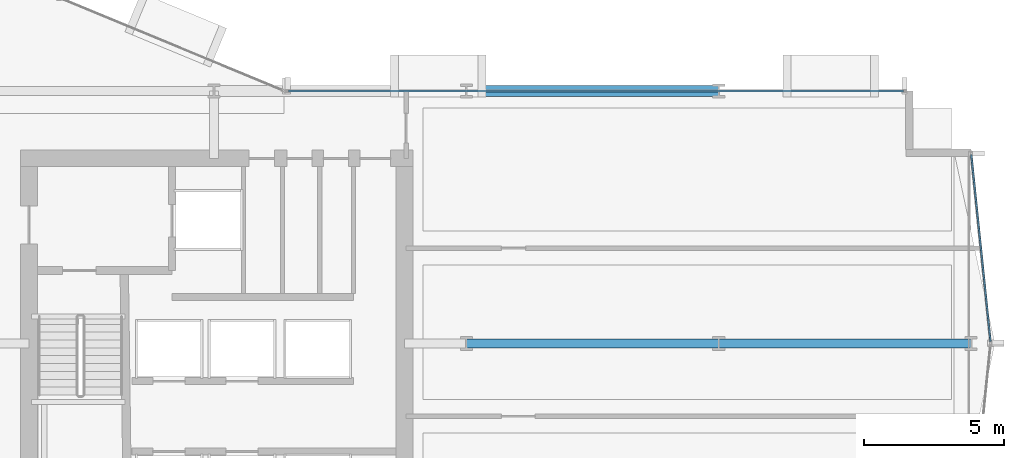
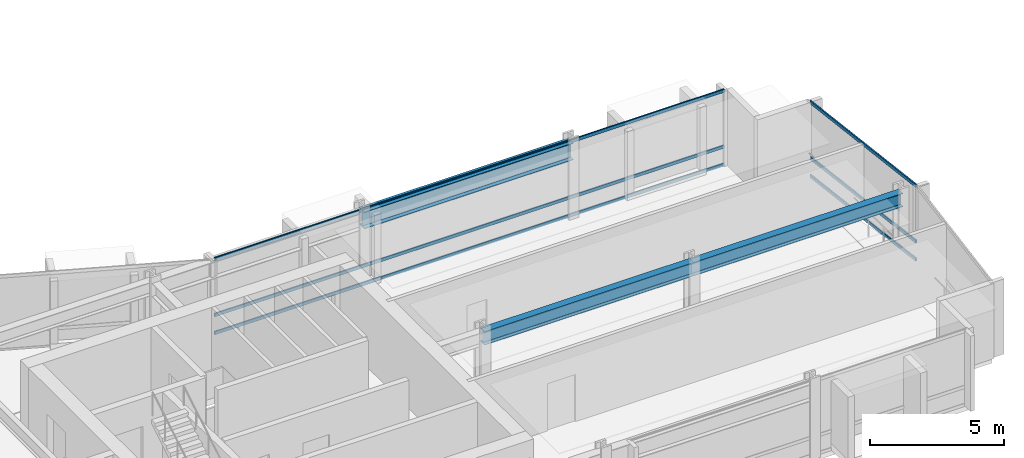
# One storey, part 16 of 34: 6 members, 3 beams, 2 elements without a shape of their own.
"""IFC4 building model written with IfcOpenShell, lengths in metres."""

from ifc_helpers import new_model, si_unit, direction, frame, origin, origin_2d, place, context, subcontext, project, spatial, hollow_rectangle, i_section, extrude, material, layer, layer_set, material_profile, profile_set, type_object, element, aggregate, save


model = new_model("IFC4")

# Units and contexts
model_context = context("Model", 3, precision=1e-05, world=origin(), true_north=direction((0.0, 1.0)))
body_context = subcontext(model_context, "Body", "Model", "MODEL_VIEW")
ifc_project = project(units=[si_unit("LENGTHUNIT", "METRE"), si_unit("AREAUNIT", "SQUARE_METRE"), si_unit("VOLUMEUNIT", "CUBIC_METRE"), si_unit("PLANEANGLEUNIT", "RADIAN"), si_unit("MASSUNIT", "GRAM", prefix="KILO")], contexts=[model_context])

# Site, building, storey
site_placement = place(None, origin())
site = spatial("IfcSite", under=ifc_project, at=site_placement, CompositionType="ELEMENT")
building_placement = place(site_placement, origin())
building = spatial("IfcBuilding", under=site, at=building_placement, Name="Solvaryn Broadcast Tower", CompositionType="ELEMENT")
storey_placement = place(building_placement, frame((0.0, 0.0, 43.39990234375)))
storey = spatial("IfcBuildingStorey", under=building, at=storey_placement, Name="L09", CompositionType="ELEMENT", Elevation=43.39990234375)

# Beams
ifc_material_1 = material(Name="Steel ASTM A992 Grade 50", Category="steel")
ifc_material_profile_1 = material_profile(ifc_material_1, i_section(OverallWidth=0.323974609375, OverallDepth=0.611083984375, WebThickness=0.0126953125, FlangeThickness=0.01904296875, FilletRadius=0.014892578125, at=origin_2d()))
ifc_profile_set_1 = profile_set([ifc_material_profile_1], Name="Steel ASTM A992 Grade 50")
beam_type_1 = type_object("IfcBeamType", Name="BM-B1-W24X104", PredefinedType="BEAM", material=ifc_profile_set_1)
for number, where, z_axis, x_axis, name in (
    (1, (45.0, 18.0, 3.114501953125), (1.0, 0.0, 0.0), (0.0, 1.0, 0.0), "L09 Primary Beam X (45-54 @ Y=18)"),
    (2, (54.0, 18.0, 3.114501953125), (1.0, 0.0, 0.0), (0.0, 1.0, 0.0), "L09 Primary Beam X (54-63 @ Y=18)"),
):
    element("IfcBeam", number, at=place(storey_placement, frame(where, z_axis=z_axis, x_axis=x_axis)), inside=storey, type_object=beam_type_1, Name=name, PredefinedType="BEAM", context=body_context, shape_type="SweptSolid", body=[
        extrude(i_section(OverallWidth=0.323974609375, OverallDepth=0.611083984375, WebThickness=0.0126953125, FlangeThickness=0.01904296875, FilletRadius=0.014892578125, at=origin_2d()), origin(), (0.0, 0.0, 1.0), 9.0),
    ])
ifc_material_2 = material(Name="Steel ASTM A992 Grade 50", Category="steel")
ifc_material_profile_2 = material_profile(ifc_material_2, i_section(OverallWidth=0.381103515625, OverallDepth=0.77294921875, WebThickness=0.0166015625, FlangeThickness=0.027099609375, FilletRadius=0.01806640625, at=origin_2d()))
ifc_profile_set_2 = profile_set([ifc_material_profile_2], Name="Steel ASTM A992 Grade 50")
beam_type_2 = type_object("IfcBeamType", Name="BM-SP1-W30X173", PredefinedType="USERDEFINED", material=ifc_profile_set_2)
beam_placement = place(storey_placement, frame((45.0, 27.0, 3.03369140625), z_axis=(1.0, 0.0, 0.0), x_axis=(0.0, 1.0, 0.0)))
element("IfcBeam", 3, at=beam_placement, inside=storey, type_object=beam_type_2, Name="L09 Spandrel Beam X (45-54 @ Y=27)", ObjectType="SPANDREL", PredefinedType="USERDEFINED", context=body_context, shape_type="SweptSolid", body=[
    extrude(i_section(OverallWidth=0.381103515625, OverallDepth=0.77294921875, WebThickness=0.0166015625, FlangeThickness=0.027099609375, FilletRadius=0.01806640625, at=origin_2d()), origin(), (0.0, 0.0, 1.0), 9.0),
])

# Curtain wall, members
ifc_material_3 = material(Name="Aluminium and Terracotta Unitised Curtain Wall", Category="masonry")
ifc_layer = layer(ifc_material_3, 0.199951171875)
ifc_layer_set = layer_set([ifc_layer], Name="CW-SYS2-LOWMID")
curtain_wall_type = type_object("IfcCurtainWallType", Name="CW-SYS2-LOWMID", PredefinedType="NOTDEFINED", material=ifc_layer_set)
curtain_wall_1_placement = place(storey_placement, origin())
curtain_wall_1 = element("IfcCurtainWall", 4, at=curtain_wall_1_placement, inside=storey, type_object=curtain_wall_type, Name="L09 Curtain Wall ET1", PredefinedType="NOTDEFINED")
ifc_material_4 = material(Name="Anodised Aluminium 6063-T6", Category="aluminium")
ifc_material_profile_3 = material_profile(ifc_material_4, hollow_rectangle(XDim=0.06494140625, YDim=0.14990234375, WallThickness=0.00390625, InnerFilletRadius=0.00390625, OuterFilletRadius=0.008056640625, at=origin_2d()))
ifc_profile_set_3 = profile_set([ifc_material_profile_3], Name="Anodised Aluminium 6063-T6")
member_type = type_object("IfcMemberType", Name="CW-TRN-150", PredefinedType="USERDEFINED", material=ifc_profile_set_3)
member_1_placement = place(storey_placement, frame((63.006103515625, 24.740234375, 0.030029296875), z_axis=(0.102404277363, -0.994742863245, 0.0), x_axis=(0.994742863245, 0.102404277363, 0.0)))
member_1 = element("IfcMember", 5, at=member_1_placement, type_object=member_type, Name="CWS2 transom 1.1", ObjectType="TRANSOM", PredefinedType="USERDEFINED", context=body_context, shape_type="SweptSolid", body=[
    extrude(hollow_rectangle(XDim=0.06494140625, YDim=0.14990234375, WallThickness=0.00390625, InnerFilletRadius=0.00390625, OuterFilletRadius=0.008056640625, at=origin_2d()), origin(), (0.0, 0.0, 1.0), 6.716064453125),
])
member_2_placement = place(storey_placement, frame((63.006103515625, 24.740234375, 0.85009765625), z_axis=(0.102404277363, -0.994742863245, 0.0), x_axis=(0.994742863245, 0.102404277363, 0.0)))
member_2 = element("IfcMember", 6, at=member_2_placement, type_object=member_type, Name="CWS2 transom 1.2", ObjectType="TRANSOM", PredefinedType="USERDEFINED", context=body_context, shape_type="SweptSolid", body=[
    extrude(hollow_rectangle(XDim=0.06494140625, YDim=0.14990234375, WallThickness=0.00390625, InnerFilletRadius=0.00390625, OuterFilletRadius=0.008056640625, at=origin_2d()), origin(), (0.0, 0.0, 1.0), 6.716064453125),
])
member_3_placement = place(storey_placement, frame((63.006103515625, 24.740234375, 3.39013671875), z_axis=(0.102404277363, -0.994742863245, 0.0), x_axis=(0.994742863245, 0.102404277363, 0.0)))
member_3 = element("IfcMember", 7, at=member_3_placement, type_object=member_type, Name="CWS2 transom 1.3", ObjectType="TRANSOM", PredefinedType="USERDEFINED", context=body_context, shape_type="SweptSolid", body=[
    extrude(hollow_rectangle(XDim=0.06494140625, YDim=0.14990234375, WallThickness=0.00390625, InnerFilletRadius=0.00390625, OuterFilletRadius=0.008056640625, at=origin_2d()), origin(), (0.0, 0.0, 1.0), 6.716064453125),
])
aggregate(curtain_wall_1, [member_1, member_2, member_3])

curtain_wall_2_placement = place(storey_placement, origin())
curtain_wall_2 = element("IfcCurtainWall", 8, at=curtain_wall_2_placement, inside=storey, type_object=curtain_wall_type, Name="L09 Curtain Wall IH", PredefinedType="NOTDEFINED")
member_4_placement = place(storey_placement, frame((38.659912109375, 27.0, 0.030029296875), z_axis=(1.0, 0.0, 0.0), x_axis=(0.0, 1.0, 0.0)))
member_4 = element("IfcMember", 9, at=member_4_placement, type_object=member_type, Name="CWS2 transom 1.1", ObjectType="TRANSOM", PredefinedType="USERDEFINED", context=body_context, shape_type="SweptSolid", body=[
    extrude(hollow_rectangle(XDim=0.06494140625, YDim=0.14990234375, WallThickness=0.00390625, InnerFilletRadius=0.00390625, OuterFilletRadius=0.008056640625, at=origin_2d()), origin(), (0.0, 0.0, 1.0), 21.93017578125),
])
member_5_placement = place(storey_placement, frame((38.659912109375, 27.0, 0.85009765625), z_axis=(1.0, 0.0, 0.0), x_axis=(0.0, 1.0, 0.0)))
member_5 = element("IfcMember", 10, at=member_5_placement, type_object=member_type, Name="CWS2 transom 1.2", ObjectType="TRANSOM", PredefinedType="USERDEFINED", context=body_context, shape_type="SweptSolid", body=[
    extrude(hollow_rectangle(XDim=0.06494140625, YDim=0.14990234375, WallThickness=0.00390625, InnerFilletRadius=0.00390625, OuterFilletRadius=0.008056640625, at=origin_2d()), origin(), (0.0, 0.0, 1.0), 21.93017578125),
])
member_6_placement = place(storey_placement, frame((38.659912109375, 27.0, 3.39013671875), z_axis=(1.0, 0.0, 0.0), x_axis=(0.0, 1.0, 0.0)))
member_6 = element("IfcMember", 11, at=member_6_placement, type_object=member_type, Name="CWS2 transom 1.3", ObjectType="TRANSOM", PredefinedType="USERDEFINED", context=body_context, shape_type="SweptSolid", body=[
    extrude(hollow_rectangle(XDim=0.06494140625, YDim=0.14990234375, WallThickness=0.00390625, InnerFilletRadius=0.00390625, OuterFilletRadius=0.008056640625, at=origin_2d()), origin(), (0.0, 0.0, 1.0), 21.93017578125),
])
aggregate(curtain_wall_2, [member_4, member_5, member_6])

save(model, "model.ifc")
